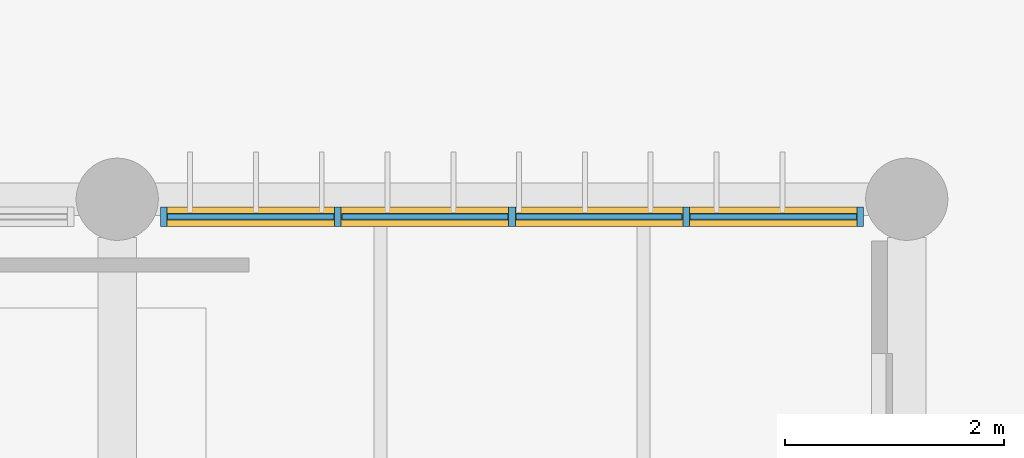
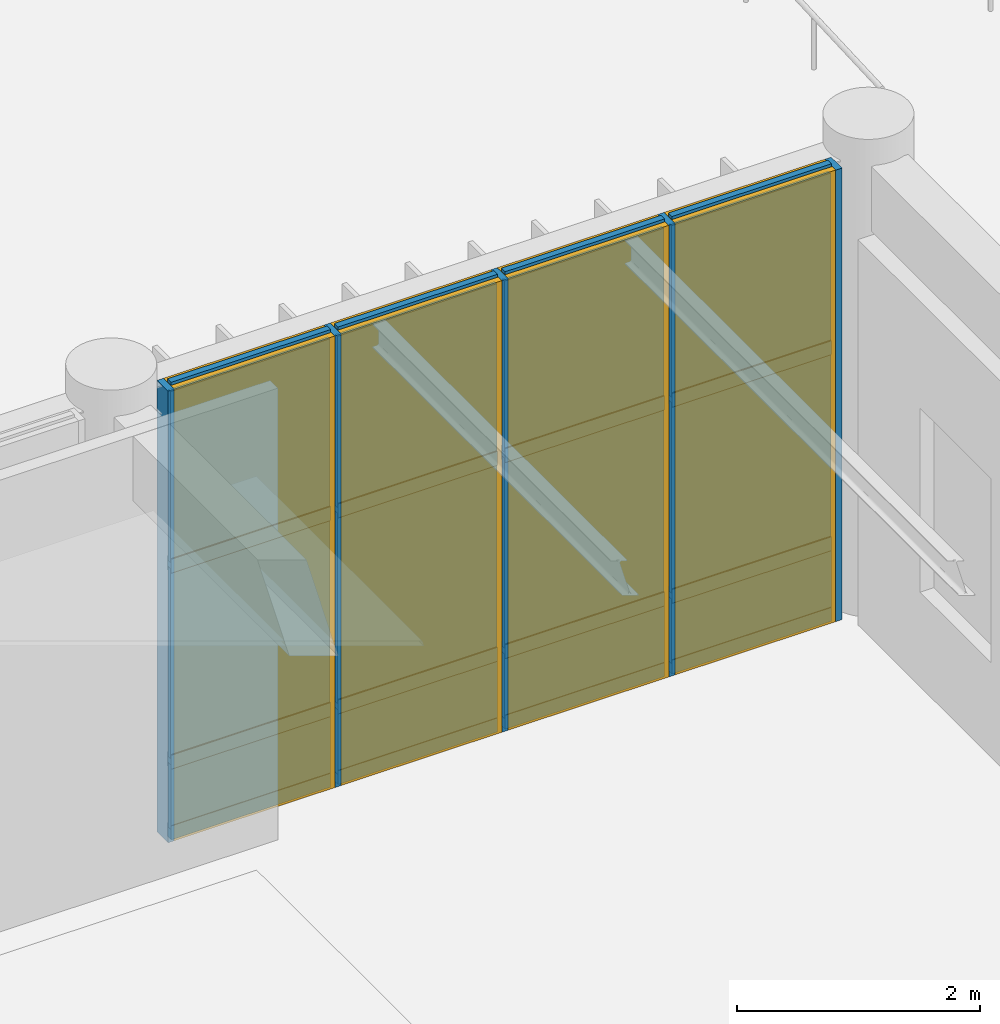
# One storey, part 85 of 122: 21 members, 12 plates, 1 curtain wall.
"""IFC4 building model written with IfcOpenShell, lengths in metres."""

from ifc_helpers import new_model, si_unit, direction, frame, frame_2d, origin, origin_2d, place, context, subcontext, project, spatial, rectangle, extrude, material, layer, layer_set, material_profile, profile_set, type_object, element, aggregate, save


model = new_model("IFC4")

# Units and contexts
model_context = context("Model", 3, precision=1e-05, world=origin(), true_north=direction((0.0, 1.0)))
body_context = subcontext(model_context, "Body", "Model", "MODEL_VIEW")
ifc_project = project(units=[si_unit("LENGTHUNIT", "METRE"), si_unit("AREAUNIT", "SQUARE_METRE"), si_unit("VOLUMEUNIT", "CUBIC_METRE"), si_unit("PLANEANGLEUNIT", "RADIAN"), si_unit("MASSUNIT", "GRAM", prefix="KILO")], contexts=[model_context])

# Member
ifc_material_1 = material(Name="Anodised Bronze Aluminium 6063-T6", Category="aluminium")
ifc_material_profile_1 = material_profile(ifc_material_1, rectangle(XDim=0.06005859375, YDim=0.179931640625, at=origin_2d()), Name="ALU MULLION 60x180")
ifc_profile_set_1 = profile_set([ifc_material_profile_1], Name="Anodised Bronze Aluminium 6063-T6")
member_type_1 = type_object("IfcMemberType", Name="Curtain-Wall Primary Mullion 60x180", PredefinedType="MULLION", material=ifc_profile_set_1)
site_placement = place(None, origin())
building_placement = place(site_placement, origin())
storey_placement = place(building_placement, origin())
member_1_placement = place(storey_placement, frame((110.22509765625, 30.0400390625, 0.0), z_axis=(0.0, 0.0, 1.0), x_axis=(1.0, 0.0, 0.0)))
member_1 = element("IfcMember", 1, at=member_1_placement, type_object=member_type_1, Name="Mullion CWM-01 CW-V5-NRET-E-L00-B3-M01", PredefinedType="MULLION", context=body_context, shape_type="SweptSolid", body=[
    extrude(rectangle(XDim=0.06005859375, YDim=0.179931640625, at=origin_2d()), origin(), (0.0, 0.0, 1.0), 4.5400390625),
])

member_2_placement = place(storey_placement, frame((111.8125, 30.0400390625, 0.0), z_axis=(0.0, 0.0, 1.0), x_axis=(1.0, 0.0, 0.0)))
member_2 = element("IfcMember", 2, at=member_2_placement, type_object=member_type_1, Name="Mullion CWM-01 CW-V5-NRET-E-L00-B3-M02", PredefinedType="MULLION", context=body_context, shape_type="SweptSolid", body=[
    extrude(rectangle(XDim=0.06005859375, YDim=0.179931640625, at=origin_2d()), origin(), (0.0, 0.0, 1.0), 4.5400390625),
])

member_3_placement = place(storey_placement, frame((113.39990234375, 30.0400390625, 0.0), z_axis=(0.0, 0.0, 1.0), x_axis=(1.0, 0.0, 0.0)))
member_3 = element("IfcMember", 3, at=member_3_placement, type_object=member_type_1, Name="Mullion CWM-01 CW-V5-NRET-E-L00-B3-M03", PredefinedType="MULLION", context=body_context, shape_type="SweptSolid", body=[
    extrude(rectangle(XDim=0.06005859375, YDim=0.179931640625, at=origin_2d()), origin(), (0.0, 0.0, 1.0), 4.5400390625),
])

member_4_placement = place(storey_placement, frame((114.987548828125, 30.0400390625, 0.0), z_axis=(0.0, 0.0, 1.0), x_axis=(1.0, 0.0, 0.0)))
member_4 = element("IfcMember", 4, at=member_4_placement, type_object=member_type_1, Name="Mullion CWM-01 CW-V5-NRET-E-L00-B3-M04", PredefinedType="MULLION", context=body_context, shape_type="SweptSolid", body=[
    extrude(rectangle(XDim=0.06005859375, YDim=0.179931640625, at=origin_2d()), origin(), (0.0, 0.0, 1.0), 4.5400390625),
])

member_5_placement = place(storey_placement, frame((116.574951171875, 30.0400390625, 0.0), z_axis=(0.0, 0.0, 1.0), x_axis=(1.0, 0.0, 0.0)))
member_5 = element("IfcMember", 5, at=member_5_placement, type_object=member_type_1, Name="Mullion CWM-01 CW-V5-NRET-E-L00-B3-M05", PredefinedType="MULLION", context=body_context, shape_type="SweptSolid", body=[
    extrude(rectangle(XDim=0.06005859375, YDim=0.179931640625, at=origin_2d()), origin(), (0.0, 0.0, 1.0), 4.5400390625),
])

ifc_material_profile_2 = material_profile(ifc_material_1, rectangle(XDim=0.06005859375, YDim=0.139892578125, at=origin_2d()), Name="ALU TRANSOM 60x140")
ifc_profile_set_2 = profile_set([ifc_material_profile_2], Name="Anodised Bronze Aluminium 6063-T6")
member_type_2 = type_object("IfcMemberType", Name="Curtain-Wall Transom 60x140", PredefinedType="USERDEFINED", material=ifc_profile_set_2)
member_6_placement = place(storey_placement, frame((110.260009765625, 30.0400390625, 0.0400390625), z_axis=(1.0, 0.0, 0.0), x_axis=(0.0, 1.0, 0.0)))
member_6 = element("IfcMember", 6, at=member_6_placement, type_object=member_type_2, Name="Transom CWT-01 CW-V5-NRET-E-L00-B3-T01.1", ObjectType="TRANSOM", PredefinedType="USERDEFINED", context=body_context, shape_type="SweptSolid", body=[
    extrude(rectangle(XDim=0.06005859375, YDim=0.139892578125, at=origin_2d()), origin(), (0.0, 0.0, 1.0), 1.517578125),
])

member_7_placement = place(storey_placement, frame((110.260009765625, 30.0400390625, 0.75), z_axis=(1.0, 0.0, 0.0), x_axis=(0.0, 1.0, 0.0)))
member_7 = element("IfcMember", 7, at=member_7_placement, type_object=member_type_2, Name="Transom CWT-01 CW-V5-NRET-E-L00-B3-T01.2", ObjectType="TRANSOM", PredefinedType="USERDEFINED", context=body_context, shape_type="SweptSolid", body=[
    extrude(rectangle(XDim=0.06005859375, YDim=0.139892578125, at=origin_2d()), origin(), (0.0, 0.0, 1.0), 1.517578125),
])

member_8_placement = place(storey_placement, frame((110.260009765625, 30.0400390625, 2.720703125), z_axis=(1.0, 0.0, 0.0), x_axis=(0.0, 1.0, 0.0)))
member_8 = element("IfcMember", 8, at=member_8_placement, type_object=member_type_2, Name="Transom CWT-01 CW-V5-NRET-E-L00-B3-T01.3", ObjectType="TRANSOM", PredefinedType="USERDEFINED", context=body_context, shape_type="SweptSolid", body=[
    extrude(rectangle(XDim=0.06005859375, YDim=0.139892578125, at=origin_2d()), origin(), (0.0, 0.0, 1.0), 1.517578125),
])

member_9_placement = place(storey_placement, frame((110.260009765625, 30.0400390625, 4.5), z_axis=(1.0, 0.0, 0.0), x_axis=(0.0, 1.0, 0.0)))
member_9 = element("IfcMember", 9, at=member_9_placement, type_object=member_type_2, Name="Transom CWT-01 CW-V5-NRET-E-L00-B3-T01.4", ObjectType="TRANSOM", PredefinedType="USERDEFINED", context=body_context, shape_type="SweptSolid", body=[
    extrude(rectangle(XDim=0.06005859375, YDim=0.139892578125, at=origin_2d()), origin(), (0.0, 0.0, 1.0), 1.517578125),
])

member_10_placement = place(storey_placement, frame((111.847412109375, 30.0400390625, 0.0400390625), z_axis=(1.0, 0.0, 0.0), x_axis=(0.0, 1.0, 0.0)))
member_10 = element("IfcMember", 10, at=member_10_placement, type_object=member_type_2, Name="Transom CWT-01 CW-V5-NRET-E-L00-B3-T02.1", ObjectType="TRANSOM", PredefinedType="USERDEFINED", context=body_context, shape_type="SweptSolid", body=[
    extrude(rectangle(XDim=0.06005859375, YDim=0.139892578125, at=origin_2d()), origin(), (0.0, 0.0, 1.0), 1.517578125),
])

member_11_placement = place(storey_placement, frame((111.847412109375, 30.0400390625, 0.75), z_axis=(1.0, 0.0, 0.0), x_axis=(0.0, 1.0, 0.0)))
member_11 = element("IfcMember", 11, at=member_11_placement, type_object=member_type_2, Name="Transom CWT-01 CW-V5-NRET-E-L00-B3-T02.2", ObjectType="TRANSOM", PredefinedType="USERDEFINED", context=body_context, shape_type="SweptSolid", body=[
    extrude(rectangle(XDim=0.06005859375, YDim=0.139892578125, at=origin_2d()), origin(), (0.0, 0.0, 1.0), 1.517578125),
])

member_12_placement = place(storey_placement, frame((111.847412109375, 30.0400390625, 2.720703125), z_axis=(1.0, 0.0, 0.0), x_axis=(0.0, 1.0, 0.0)))
member_12 = element("IfcMember", 12, at=member_12_placement, type_object=member_type_2, Name="Transom CWT-01 CW-V5-NRET-E-L00-B3-T02.3", ObjectType="TRANSOM", PredefinedType="USERDEFINED", context=body_context, shape_type="SweptSolid", body=[
    extrude(rectangle(XDim=0.06005859375, YDim=0.139892578125, at=origin_2d()), origin(), (0.0, 0.0, 1.0), 1.517578125),
])

member_13_placement = place(storey_placement, frame((111.847412109375, 30.0400390625, 4.5), z_axis=(1.0, 0.0, 0.0), x_axis=(0.0, 1.0, 0.0)))
member_13 = element("IfcMember", 13, at=member_13_placement, type_object=member_type_2, Name="Transom CWT-01 CW-V5-NRET-E-L00-B3-T02.4", ObjectType="TRANSOM", PredefinedType="USERDEFINED", context=body_context, shape_type="SweptSolid", body=[
    extrude(rectangle(XDim=0.06005859375, YDim=0.139892578125, at=origin_2d()), origin(), (0.0, 0.0, 1.0), 1.517578125),
])

member_14_placement = place(storey_placement, frame((113.43505859375, 30.0400390625, 0.0400390625), z_axis=(1.0, 0.0, 0.0), x_axis=(0.0, 1.0, 0.0)))
member_14 = element("IfcMember", 14, at=member_14_placement, type_object=member_type_2, Name="Transom CWT-01 CW-V5-NRET-E-L00-B3-T03.1", ObjectType="TRANSOM", PredefinedType="USERDEFINED", context=body_context, shape_type="SweptSolid", body=[
    extrude(rectangle(XDim=0.06005859375, YDim=0.139892578125, at=origin_2d()), origin(), (0.0, 0.0, 1.0), 1.517333984375),
])

member_15_placement = place(storey_placement, frame((113.43505859375, 30.0400390625, 0.75), z_axis=(1.0, 0.0, 0.0), x_axis=(0.0, 1.0, 0.0)))
member_15 = element("IfcMember", 15, at=member_15_placement, type_object=member_type_2, Name="Transom CWT-01 CW-V5-NRET-E-L00-B3-T03.2", ObjectType="TRANSOM", PredefinedType="USERDEFINED", context=body_context, shape_type="SweptSolid", body=[
    extrude(rectangle(XDim=0.06005859375, YDim=0.139892578125, at=origin_2d()), origin(), (0.0, 0.0, 1.0), 1.517333984375),
])

member_16_placement = place(storey_placement, frame((113.43505859375, 30.0400390625, 2.720703125), z_axis=(1.0, 0.0, 0.0), x_axis=(0.0, 1.0, 0.0)))
member_16 = element("IfcMember", 16, at=member_16_placement, type_object=member_type_2, Name="Transom CWT-01 CW-V5-NRET-E-L00-B3-T03.3", ObjectType="TRANSOM", PredefinedType="USERDEFINED", context=body_context, shape_type="SweptSolid", body=[
    extrude(rectangle(XDim=0.06005859375, YDim=0.139892578125, at=origin_2d()), origin(), (0.0, 0.0, 1.0), 1.517333984375),
])

member_17_placement = place(storey_placement, frame((113.43505859375, 30.0400390625, 4.5), z_axis=(1.0, 0.0, 0.0), x_axis=(0.0, 1.0, 0.0)))
member_17 = element("IfcMember", 17, at=member_17_placement, type_object=member_type_2, Name="Transom CWT-01 CW-V5-NRET-E-L00-B3-T03.4", ObjectType="TRANSOM", PredefinedType="USERDEFINED", context=body_context, shape_type="SweptSolid", body=[
    extrude(rectangle(XDim=0.06005859375, YDim=0.139892578125, at=origin_2d()), origin(), (0.0, 0.0, 1.0), 1.517333984375),
])

member_18_placement = place(storey_placement, frame((115.0224609375, 30.0400390625, 0.0400390625), z_axis=(1.0, 0.0, 0.0), x_axis=(0.0, 1.0, 0.0)))
member_18 = element("IfcMember", 18, at=member_18_placement, type_object=member_type_2, Name="Transom CWT-01 CW-V5-NRET-E-L00-B3-T04.1", ObjectType="TRANSOM", PredefinedType="USERDEFINED", context=body_context, shape_type="SweptSolid", body=[
    extrude(rectangle(XDim=0.06005859375, YDim=0.139892578125, at=origin_2d()), origin(), (0.0, 0.0, 1.0), 1.517578125),
])

member_19_placement = place(storey_placement, frame((115.0224609375, 30.0400390625, 0.75), z_axis=(1.0, 0.0, 0.0), x_axis=(0.0, 1.0, 0.0)))
member_19 = element("IfcMember", 19, at=member_19_placement, type_object=member_type_2, Name="Transom CWT-01 CW-V5-NRET-E-L00-B3-T04.2", ObjectType="TRANSOM", PredefinedType="USERDEFINED", context=body_context, shape_type="SweptSolid", body=[
    extrude(rectangle(XDim=0.06005859375, YDim=0.139892578125, at=origin_2d()), origin(), (0.0, 0.0, 1.0), 1.517578125),
])

member_20_placement = place(storey_placement, frame((115.0224609375, 30.0400390625, 2.720703125), z_axis=(1.0, 0.0, 0.0), x_axis=(0.0, 1.0, 0.0)))
member_20 = element("IfcMember", 20, at=member_20_placement, type_object=member_type_2, Name="Transom CWT-01 CW-V5-NRET-E-L00-B3-T04.3", ObjectType="TRANSOM", PredefinedType="USERDEFINED", context=body_context, shape_type="SweptSolid", body=[
    extrude(rectangle(XDim=0.06005859375, YDim=0.139892578125, at=origin_2d()), origin(), (0.0, 0.0, 1.0), 1.517578125),
])

member_21_placement = place(storey_placement, frame((115.0224609375, 30.0400390625, 4.5), z_axis=(1.0, 0.0, 0.0), x_axis=(0.0, 1.0, 0.0)))
member_21 = element("IfcMember", 21, at=member_21_placement, type_object=member_type_2, Name="Transom CWT-01 CW-V5-NRET-E-L00-B3-T04.4", ObjectType="TRANSOM", PredefinedType="USERDEFINED", context=body_context, shape_type="SweptSolid", body=[
    extrude(rectangle(XDim=0.06005859375, YDim=0.139892578125, at=origin_2d()), origin(), (0.0, 0.0, 1.0), 1.517578125),
])

# Plate
ifc_material_2 = material(Name="Insulated Bronze Aluminium Spandrel Panel", Category="aluminium")
ifc_layer_1 = layer(ifc_material_2, 0.050048828125, Name="Insulated Bronze Aluminium Spandrel Panel")
ifc_layer_set_1 = layer_set([ifc_layer_1], Name="Insulated Bronze Aluminium Spandrel Panel")
plate_type_1 = type_object("IfcPlateType", Name="Insulated Anodised Aluminium Spandrel Cassette 50", PredefinedType="CURTAIN_PANEL", material=ifc_layer_set_1)
plate_1_placement = place(storey_placement, frame((111.018798828125, 30.0400390625, 0.070068359375), z_axis=(0.0, 0.0, 1.0), x_axis=(1.0, 0.0, 0.0)))
plate_1 = element("IfcPlate", 22, at=plate_1_placement, type_object=plate_type_1, Name="Curtain Panel CWP-03 CW-V5-NRET-E-L00-B3-P01.1", PredefinedType="CURTAIN_PANEL", context=body_context, shape_type="SweptSolid", body=[
    extrude(rectangle(XDim=1.517578125, YDim=0.050048828125, at=origin_2d()), origin(), (0.0, 0.0, 1.0), 0.64990234375),
])

plate_2_placement = place(storey_placement, frame((112.606201171875, 30.0400390625, 0.070068359375), z_axis=(0.0, 0.0, 1.0), x_axis=(1.0, 0.0, 0.0)))
plate_2 = element("IfcPlate", 23, at=plate_2_placement, type_object=plate_type_1, Name="Curtain Panel CWP-03 CW-V5-NRET-E-L00-B3-P02.1", PredefinedType="CURTAIN_PANEL", context=body_context, shape_type="SweptSolid", body=[
    extrude(rectangle(XDim=1.517578125, YDim=0.050048828125, at=origin_2d()), origin(), (0.0, 0.0, 1.0), 0.64990234375),
])

plate_3_placement = place(storey_placement, frame((114.193603515625, 30.0400390625, 0.070068359375), z_axis=(0.0, 0.0, 1.0), x_axis=(1.0, 0.0, 0.0)))
plate_3 = element("IfcPlate", 24, at=plate_3_placement, type_object=plate_type_1, Name="Curtain Panel CWP-03 CW-V5-NRET-E-L00-B3-P03.1", PredefinedType="CURTAIN_PANEL", context=body_context, shape_type="SweptSolid", body=[
    extrude(rectangle(XDim=1.517578125, YDim=0.050048828125, at=origin_2d()), origin(), (0.0, 0.0, 1.0), 0.64990234375),
])

plate_4_placement = place(storey_placement, frame((115.78125, 30.0400390625, 0.070068359375), z_axis=(0.0, 0.0, 1.0), x_axis=(1.0, 0.0, 0.0)))
plate_4 = element("IfcPlate", 25, at=plate_4_placement, type_object=plate_type_1, Name="Curtain Panel CWP-03 CW-V5-NRET-E-L00-B3-P04.1", PredefinedType="CURTAIN_PANEL", context=body_context, shape_type="SweptSolid", body=[
    extrude(rectangle(XDim=1.517578125, YDim=0.050048828125, at=origin_2d()), origin(), (0.0, 0.0, 1.0), 0.64990234375),
])

ifc_material_3 = material(Name="Solar-Control Tempered Double Glazing", Category="glass")
ifc_layer_2 = layer(ifc_material_3, 0.0380859375, Name="Solar-Control Tempered Double Glazing")
ifc_layer_set_2 = layer_set([ifc_layer_2], Name="Solar-Control Tempered Double Glazing")
plate_type_2 = type_object("IfcPlateType", Name="Solar-Control Vision Glazing Unit 38", PredefinedType="CURTAIN_PANEL", material=ifc_layer_set_2)
plate_5_placement = place(storey_placement, frame((111.018798828125, 30.0400390625, 0.77978515625), z_axis=(0.0, 0.0, 1.0), x_axis=(1.0, 0.0, 0.0)))
plate_5 = element("IfcPlate", 26, at=plate_5_placement, type_object=plate_type_2, Name="Curtain Panel CWP-02 CW-V5-NRET-E-L00-B3-P01.2", PredefinedType="CURTAIN_PANEL", context=body_context, shape_type="SweptSolid", body=[
    extrude(rectangle(XDim=1.517578125, YDim=0.0380859375, at=origin_2d()), origin(), (0.0, 0.0, 1.0), 1.910888671875),
])

plate_6_placement = place(storey_placement, frame((111.018798828125, 30.0400390625, 2.750732421875), z_axis=(0.0, 0.0, 1.0), x_axis=(1.0, 0.0, 0.0)))
plate_6 = element("IfcPlate", 27, at=plate_6_placement, type_object=plate_type_2, Name="Curtain Panel CWP-02 CW-V5-NRET-E-L00-B3-P01.3", PredefinedType="CURTAIN_PANEL", context=body_context, shape_type="SweptSolid", body=[
    extrude(rectangle(XDim=1.517578125, YDim=0.0380859375, at=origin_2d()), origin(), (0.0, 0.0, 1.0), 1.71923828125),
])

plate_7_placement = place(storey_placement, frame((112.606201171875, 30.0400390625, 0.77978515625), z_axis=(0.0, 0.0, 1.0), x_axis=(1.0, 0.0, 0.0)))
plate_7 = element("IfcPlate", 28, at=plate_7_placement, type_object=plate_type_2, Name="Curtain Panel CWP-02 CW-V5-NRET-E-L00-B3-P02.2", PredefinedType="CURTAIN_PANEL", context=body_context, shape_type="SweptSolid", body=[
    extrude(rectangle(XDim=1.517578125, YDim=0.0380859375, at=origin_2d()), origin(), (0.0, 0.0, 1.0), 1.910888671875),
])

plate_8_placement = place(storey_placement, frame((112.606201171875, 30.0400390625, 2.750732421875), z_axis=(0.0, 0.0, 1.0), x_axis=(1.0, 0.0, 0.0)))
plate_8 = element("IfcPlate", 29, at=plate_8_placement, type_object=plate_type_2, Name="Curtain Panel CWP-02 CW-V5-NRET-E-L00-B3-P02.3", PredefinedType="CURTAIN_PANEL", context=body_context, shape_type="SweptSolid", body=[
    extrude(rectangle(XDim=1.517578125, YDim=0.0380859375, at=origin_2d()), origin(), (0.0, 0.0, 1.0), 1.71923828125),
])

plate_9_placement = place(storey_placement, frame((114.193603515625, 30.0400390625, 0.77978515625), z_axis=(0.0, 0.0, 1.0), x_axis=(1.0, 0.0, 0.0)))
plate_9 = element("IfcPlate", 30, at=plate_9_placement, type_object=plate_type_2, Name="Curtain Panel CWP-02 CW-V5-NRET-E-L00-B3-P03.2", PredefinedType="CURTAIN_PANEL", context=body_context, shape_type="SweptSolid", body=[
    extrude(rectangle(XDim=1.517578125, YDim=0.0380859375, at=origin_2d()), origin(), (0.0, 0.0, 1.0), 1.910888671875),
])

plate_10_placement = place(storey_placement, frame((114.193603515625, 30.0400390625, 2.750732421875), z_axis=(0.0, 0.0, 1.0), x_axis=(1.0, 0.0, 0.0)))
plate_10 = element("IfcPlate", 31, at=plate_10_placement, type_object=plate_type_2, Name="Curtain Panel CWP-02 CW-V5-NRET-E-L00-B3-P03.3", PredefinedType="CURTAIN_PANEL", context=body_context, shape_type="SweptSolid", body=[
    extrude(rectangle(XDim=1.517578125, YDim=0.0380859375, at=origin_2d()), origin(), (0.0, 0.0, 1.0), 1.71923828125),
])

plate_11_placement = place(storey_placement, frame((115.78125, 30.0400390625, 0.77978515625), z_axis=(0.0, 0.0, 1.0), x_axis=(1.0, 0.0, 0.0)))
plate_11 = element("IfcPlate", 32, at=plate_11_placement, type_object=plate_type_2, Name="Curtain Panel CWP-02 CW-V5-NRET-E-L00-B3-P04.2", PredefinedType="CURTAIN_PANEL", context=body_context, shape_type="SweptSolid", body=[
    extrude(rectangle(XDim=1.517578125, YDim=0.0380859375, at=origin_2d()), origin(), (0.0, 0.0, 1.0), 1.910888671875),
])

plate_12_placement = place(storey_placement, frame((115.78125, 30.0400390625, 2.750732421875), z_axis=(0.0, 0.0, 1.0), x_axis=(1.0, 0.0, 0.0)))
plate_12 = element("IfcPlate", 33, at=plate_12_placement, type_object=plate_type_2, Name="Curtain Panel CWP-02 CW-V5-NRET-E-L00-B3-P04.3", PredefinedType="CURTAIN_PANEL", context=body_context, shape_type="SweptSolid", body=[
    extrude(rectangle(XDim=1.517578125, YDim=0.0380859375, at=origin_2d()), origin(), (0.0, 0.0, 1.0), 1.71923828125),
])

# Site, building, storey
site = spatial("IfcSite", under=ifc_project, at=site_placement, CompositionType="ELEMENT")
building = spatial("IfcBuilding", under=site, at=building_placement, Name="Tazoul Stagehouse", CompositionType="ELEMENT")
storey = spatial("IfcBuildingStorey", under=building, at=storey_placement, Name="L00", CompositionType="ELEMENT", Elevation=0.0)

# Curtain wall
curtain_wall_type = type_object("IfcCurtainWallType", Name="Foyer Clear Solar-Control Curtain Wall", PredefinedType="NOTDEFINED", material=ifc_material_1)
curtain_wall_placement = place(storey_placement, frame((110.22509765625, 30.0400390625, 0.0), z_axis=(0.0, 0.0, 1.0), x_axis=(1.0, 0.0, 0.0)))
curtain_wall = element("IfcCurtainWall", 34, at=curtain_wall_placement, inside=storey, type_object=curtain_wall_type, Name="L00 Curtain Wall CW-02 (CW-V5-NRET-E-L00-B3)", PredefinedType="NOTDEFINED", context=body_context, shape_type="SweptSolid", body=[
    extrude(rectangle(XDim=6.349853515625, YDim=0.179931640625, at=frame_2d((3.1748046875, 0.0))), origin(), (0.0, 0.0, 1.0), 4.5400390625),
])

aggregate(curtain_wall, [member_1, member_2, member_3, member_4, member_5, member_6, member_7, member_8, member_9, plate_1, plate_5, plate_6, member_10, member_11, member_12, member_13, plate_2, plate_7, plate_8, member_14, member_15, member_16, member_17, plate_3, plate_9, plate_10, member_18, member_19, member_20, member_21, plate_4, plate_11, plate_12])

save(model, "model.ifc")
